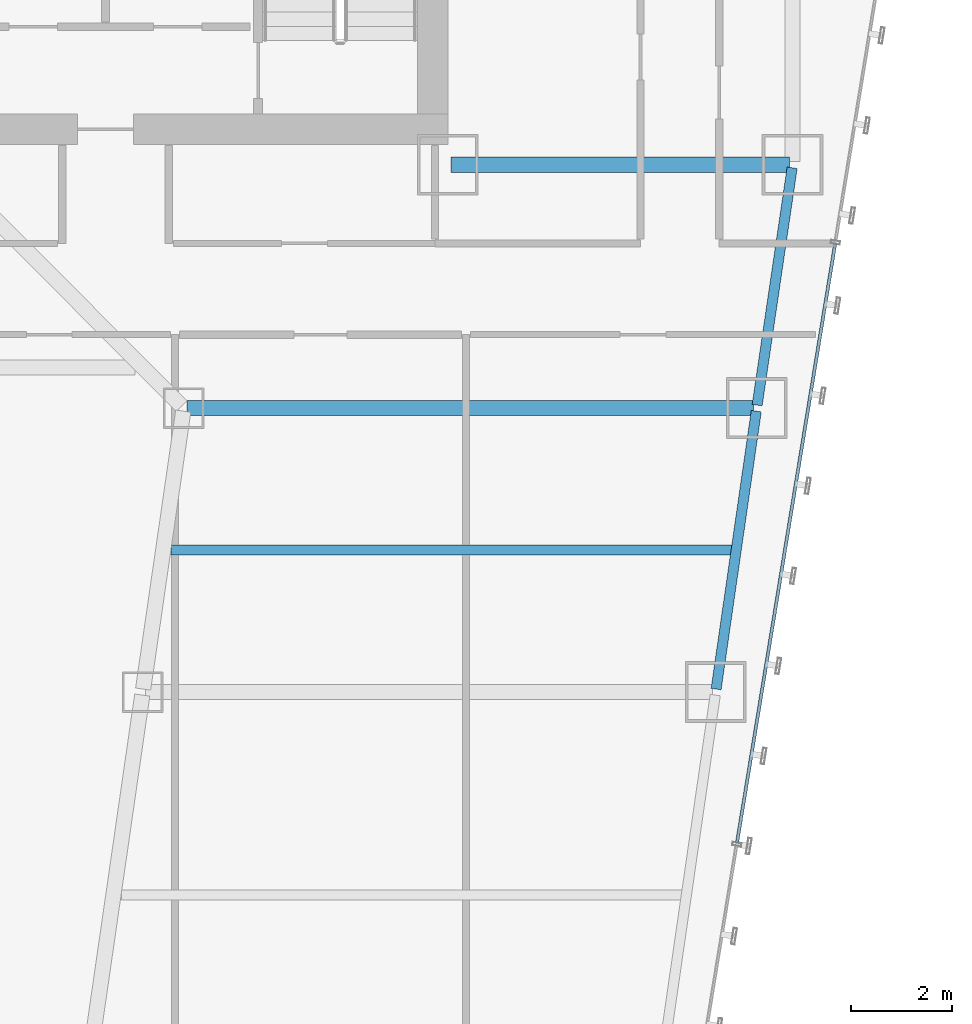
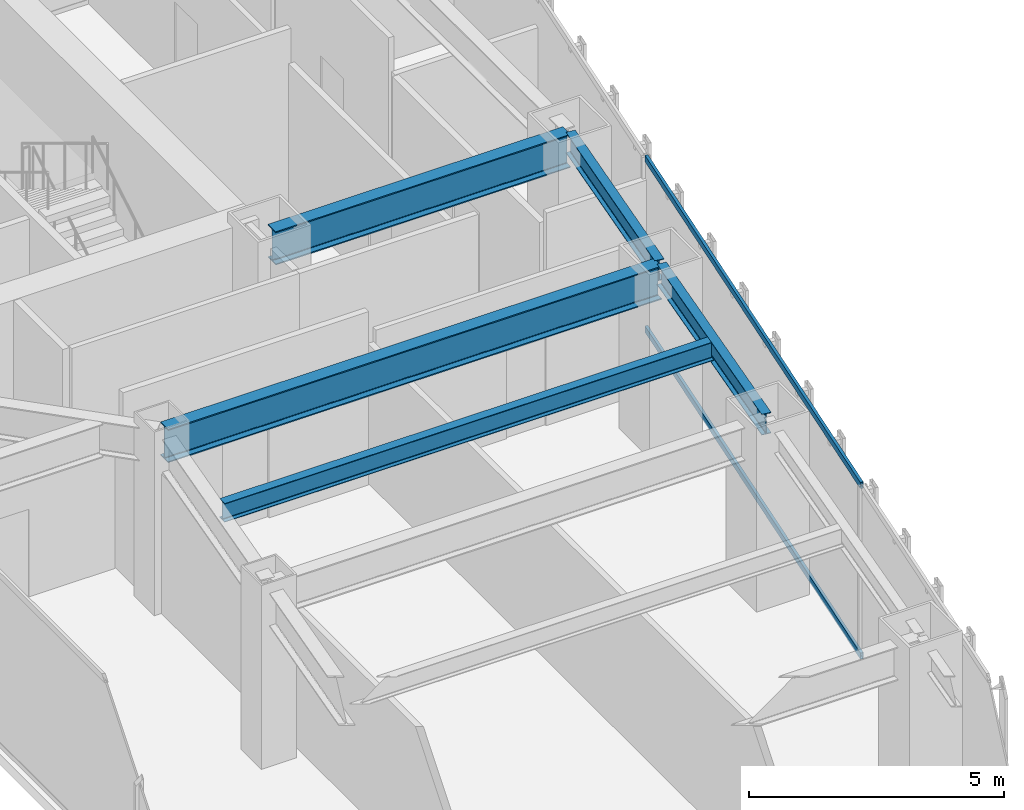
# One storey, part 30 of 47: 5 beams, 2 members, 1 element without a shape of its own.
"""IFC4 building model written with IfcOpenShell, lengths in metres."""

from ifc_helpers import new_model, si_unit, direction, frame, origin, origin_2d, place, context, subcontext, project, spatial, hollow_rectangle, i_section, extrude, material, material_profile, profile_set, type_object, element, aggregate, save


model = new_model("IFC4")

# Units and contexts
model_context = context("Model", 3, precision=1e-05, world=origin(), true_north=direction((0.0, 1.0)))
body_context = subcontext(model_context, "Body", "Model", "MODEL_VIEW")
ifc_project = project(units=[si_unit("LENGTHUNIT", "METRE"), si_unit("AREAUNIT", "SQUARE_METRE"), si_unit("VOLUMEUNIT", "CUBIC_METRE"), si_unit("PLANEANGLEUNIT", "RADIAN"), si_unit("MASSUNIT", "GRAM", prefix="KILO")], contexts=[model_context])

# Site, building, storey
site_placement = place(None, origin())
site = spatial("IfcSite", under=ifc_project, at=site_placement, CompositionType="ELEMENT")
building_placement = place(site_placement, origin())
building = spatial("IfcBuilding", under=site, at=building_placement, Name="Saevonmaru Cultural Tower", CompositionType="ELEMENT")
storey_placement = place(building_placement, frame((0.0, 0.0, 69.199951171875)))
storey = spatial("IfcBuildingStorey", under=building, at=storey_placement, Name="L14", CompositionType="ELEMENT", Elevation=69.199951171875)

# Beams
ifc_material_1 = material(Name="Steel SM420", Category="steel")
ifc_material_profile_1 = material_profile(ifc_material_1, i_section(OverallWidth=0.300048828125, OverallDepth=0.800048828125, WebThickness=0.013916015625, FlangeThickness=0.02587890625, FilletRadius=0.028076171875, at=origin_2d()), Name="H-800x300x14x26")
ifc_profile_set_1 = profile_set([ifc_material_profile_1], Name="Steel SM420")
beam_type_1 = type_object("IfcBeamType", Name="BM-G-H800", PredefinedType="BEAM", material=ifc_profile_set_1)
beam_1_placement = place(storey_placement, frame((46.4599609375, 42.39990234375, 3.75), z_axis=(1.0, 0.0, 0.0), x_axis=(0.0, 1.0, 0.0)))
element("IfcBeam", 1, at=beam_1_placement, inside=storey, type_object=beam_type_1, Name="L14 Core South Girder 5", PredefinedType="BEAM", context=body_context, shape_type="SweptSolid", body=[
    extrude(i_section(OverallWidth=0.300048828125, OverallDepth=0.800048828125, WebThickness=0.013916015625, FlangeThickness=0.02587890625, FilletRadius=0.028076171875, at=origin_2d()), origin(), (0.0, 0.0, 1.0), 6.679931640625),
])
beam_2_placement = place(storey_placement, frame((41.251953125, 37.60009765625, 3.75), z_axis=(1.0, 0.0, 0.0), x_axis=(0.0, 1.0, 0.0)))
element("IfcBeam", 2, at=beam_2_placement, inside=storey, type_object=beam_type_1, Name="L14 East Wing Transverse Girder 6", PredefinedType="BEAM", context=body_context, shape_type="SweptSolid", body=[
    extrude(i_section(OverallWidth=0.300048828125, OverallDepth=0.800048828125, WebThickness=0.013916015625, FlangeThickness=0.02587890625, FilletRadius=0.028076171875, at=origin_2d()), origin(), (0.0, 0.0, 1.0), 11.179931640625),
])
ifc_material_2 = material(Name="Steel SM355", Category="steel")
ifc_material_profile_2 = material_profile(ifc_material_2, i_section(OverallWidth=0.199951171875, OverallDepth=0.449951171875, WebThickness=0.009033203125, FlangeThickness=0.013916015625, FilletRadius=0.01806640625, at=origin_2d()), Name="H-450x200x9x14")
ifc_profile_set_2 = profile_set([ifc_material_profile_2], Name="Steel SM355")
beam_type_2 = type_object("IfcBeamType", Name="BM-J-H450", PredefinedType="JOIST", material=ifc_profile_set_2)
beam_3_placement = place(storey_placement, frame((40.945556640625, 34.800048828125, 3.925048828125), z_axis=(1.0, 0.0, 0.0), x_axis=(0.0, 1.0, 0.0)))
element("IfcBeam", 3, at=beam_3_placement, inside=storey, type_object=beam_type_2, Name="L14 East Wing Floor Joist 5", PredefinedType="JOIST", context=body_context, shape_type="SweptSolid", body=[
    extrude(i_section(OverallWidth=0.199951171875, OverallDepth=0.449951171875, WebThickness=0.009033203125, FlangeThickness=0.013916015625, FilletRadius=0.01806640625, at=origin_2d()), origin(), (0.0, 0.0, 1.0), 11.08203125),
])
ifc_material_profile_3 = material_profile(ifc_material_2, i_section(OverallWidth=0.199951171875, OverallDepth=0.5, WebThickness=0.010009765625, FlangeThickness=0.01611328125, FilletRadius=0.02001953125, at=origin_2d()), Name="H-500x200x10x16")
ifc_profile_set_3 = profile_set([ifc_material_profile_3], Name="Steel SM355")
beam_type_3 = type_object("IfcBeamType", Name="BM-SP-H500", PredefinedType="SPANDREL", material=ifc_profile_set_3)
beam_4_placement = place(storey_placement, frame((51.691650390625, 32.059326171875, 3.900146484375), z_axis=(0.142964121327, 0.989727871697, 0.0), x_axis=(-0.989727871697, 0.142964121327, 0.0)))
element("IfcBeam", 4, at=beam_4_placement, inside=storey, type_object=beam_type_3, Name="L14 East Splayed Spandrel 5", PredefinedType="SPANDREL", context=body_context, shape_type="SweptSolid", body=[
    extrude(i_section(OverallWidth=0.199951171875, OverallDepth=0.5, WebThickness=0.010009765625, FlangeThickness=0.01611328125, FilletRadius=0.02001953125, at=origin_2d()), origin(), (0.0, 0.0, 1.0), 5.5380859375),
])
beam_5_placement = place(storey_placement, frame((52.500732421875, 37.659423828125, 3.900146484375), z_axis=(0.145912860028, 0.989297446312, 0.0), x_axis=(-0.989297446312, 0.145912860028, 0.0)))
element("IfcBeam", 5, at=beam_5_placement, inside=storey, type_object=beam_type_3, Name="L14 East Splayed Spandrel 6", PredefinedType="SPANDREL", context=body_context, shape_type="SweptSolid", body=[
    extrude(i_section(OverallWidth=0.199951171875, OverallDepth=0.5, WebThickness=0.010009765625, FlangeThickness=0.01611328125, FilletRadius=0.02001953125, at=origin_2d()), origin(), (0.0, 0.0, 1.0), 4.731689453125),
])

# Curtain wall, members
ifc_material_3 = material(Name="Satin Bronze Anodised Aluminium", Category="aluminium")
curtain_wall_type = type_object("IfcCurtainWallType", Name="CW-TYP-A", PredefinedType="NOTDEFINED", material=ifc_material_3)
curtain_wall_placement = place(storey_placement, origin())
curtain_wall = element("IfcCurtainWall", 6, at=curtain_wall_placement, inside=storey, type_object=curtain_wall_type, Name="L14 Unitised Curtain Wall E8", PredefinedType="NOTDEFINED")
ifc_material_profile_4 = material_profile(ifc_material_3, hollow_rectangle(XDim=0.06494140625, YDim=0.14990234375, WallThickness=0.00390625, at=origin_2d()), Name="ALU-TRAN-150x65x4")
ifc_profile_set_4 = profile_set([ifc_material_profile_4], Name="Satin Bronze Anodised Aluminium")
member_type = type_object("IfcMemberType", Name="TR-CW-150x65", PredefinedType="USERDEFINED", material=ifc_profile_set_4)
member_1_placement = place(storey_placement, frame((52.105224609375, 29.031982421875, 0.032470703125), z_axis=(0.161701400727, 0.986839732177, 0.0), x_axis=(-0.986839732177, 0.161701400727, 0.0)))
member_1 = element("IfcMember", 7, at=member_1_placement, type_object=member_type, Name="CW-TW-L14-E8 transom 3.1", ObjectType="TRANSOM", PredefinedType="USERDEFINED", context=body_context, shape_type="SweptSolid", body=[
    extrude(hollow_rectangle(XDim=0.06494140625, YDim=0.14990234375, WallThickness=0.00390625, at=origin_2d()), origin(), (0.0, 0.0, 1.0), 11.9638671875),
])
member_2_placement = place(storey_placement, frame((52.105224609375, 29.031982421875, 4.117431640625), z_axis=(0.161701400727, 0.986839732177, 0.0), x_axis=(-0.986839732177, 0.161701400727, 0.0)))
member_2 = element("IfcMember", 8, at=member_2_placement, type_object=member_type, Name="CW-TW-L14-E8 transom 3.2", ObjectType="TRANSOM", PredefinedType="USERDEFINED", context=body_context, shape_type="SweptSolid", body=[
    extrude(hollow_rectangle(XDim=0.06494140625, YDim=0.14990234375, WallThickness=0.00390625, at=origin_2d()), origin(), (0.0, 0.0, 1.0), 11.9638671875),
])
aggregate(curtain_wall, [member_1, member_2])

save(model, "model.ifc")
